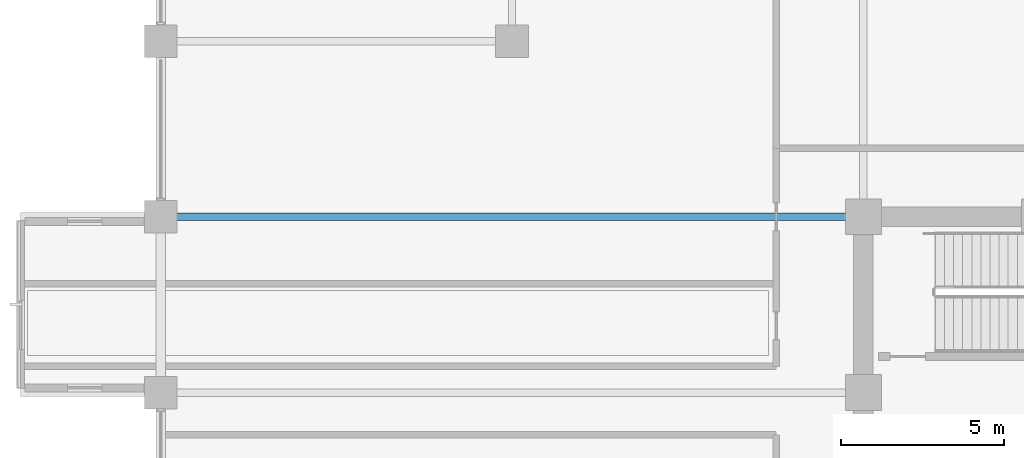
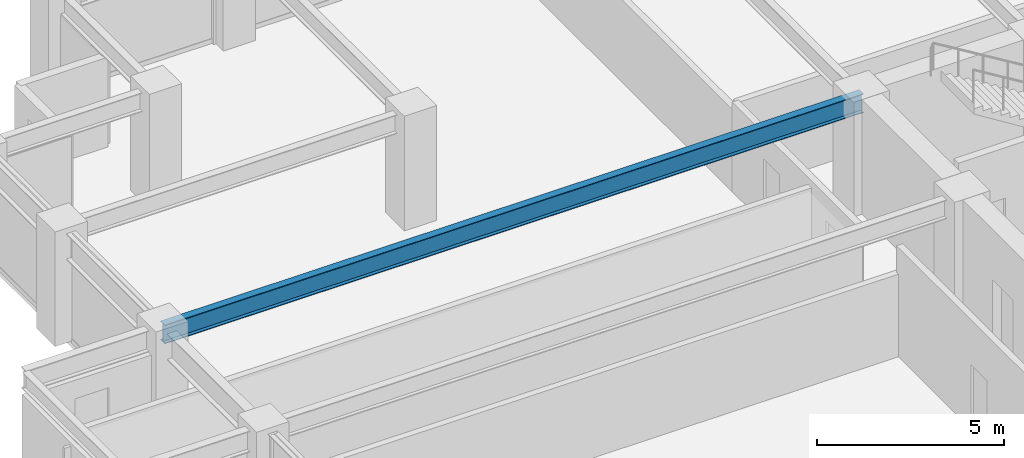
# One storey, part 11 of 29: 1 beam.
"""IFC4 building model written with IfcOpenShell, lengths in metres."""

from ifc_helpers import new_model, si_unit, direction, frame, origin, origin_2d, place, context, subcontext, project, spatial, i_section, extrude, material, material_profile, profile_set, type_object, element, save


model = new_model("IFC4")

# Units and contexts
model_context = context("Model", 3, precision=1e-05, world=origin(), true_north=direction((0.0, 1.0)))
body_context = subcontext(model_context, "Body", "Model", "MODEL_VIEW")
ifc_project = project(units=[si_unit("LENGTHUNIT", "METRE"), si_unit("AREAUNIT", "SQUARE_METRE"), si_unit("VOLUMEUNIT", "CUBIC_METRE"), si_unit("PLANEANGLEUNIT", "RADIAN"), si_unit("MASSUNIT", "GRAM", prefix="KILO")], contexts=[model_context])

# Site, building, storey
site_placement = place(None, origin())
site = spatial("IfcSite", under=ifc_project, at=site_placement, CompositionType="ELEMENT")
building_placement = place(site_placement, origin())
building = spatial("IfcBuilding", under=site, at=building_placement, Name="Surkhivell Harbour Commons", CompositionType="ELEMENT")
storey_placement = place(building_placement, frame((0.0, 0.0, 154.5)))
storey = spatial("IfcBuildingStorey", under=building, at=storey_placement, Name="L40", CompositionType="ELEMENT", Elevation=154.5)

# Beam
ifc_material = material(Name="Steel S355", Category="steel")
ifc_material_profile = material_profile(ifc_material, i_section(OverallWidth=0.22998046875, OverallDepth=0.616943359375, WebThickness=0.01318359375, FlangeThickness=0.022216796875, at=origin_2d()), Name="UB610x229x140")
ifc_profile_set = profile_set([ifc_material_profile], Name="Steel S355")
beam_type = type_object("IfcBeamType", Name="BM-GRD-610B", PredefinedType="BEAM", material=ifc_profile_set)
beam_placement = place(storey_placement, frame((-32.39990234375, 10.800048828125, 3.261474609375), z_axis=(1.0, 0.0, 0.0), x_axis=(0.0, 1.0, 0.0)))
element("IfcBeam", 1, at=beam_placement, inside=storey, type_object=beam_type, Name="L40 Cantilever Back-Span Girder (-32.4,10.8)", PredefinedType="BEAM", context=body_context, shape_type="SweptSolid", body=[
    extrude(i_section(OverallWidth=0.22998046875, OverallDepth=0.616943359375, WebThickness=0.01318359375, FlangeThickness=0.022216796875, at=origin_2d()), origin(), (0.0, 0.0, 1.0), 21.599853515625),
])

save(model, "model.ifc")
